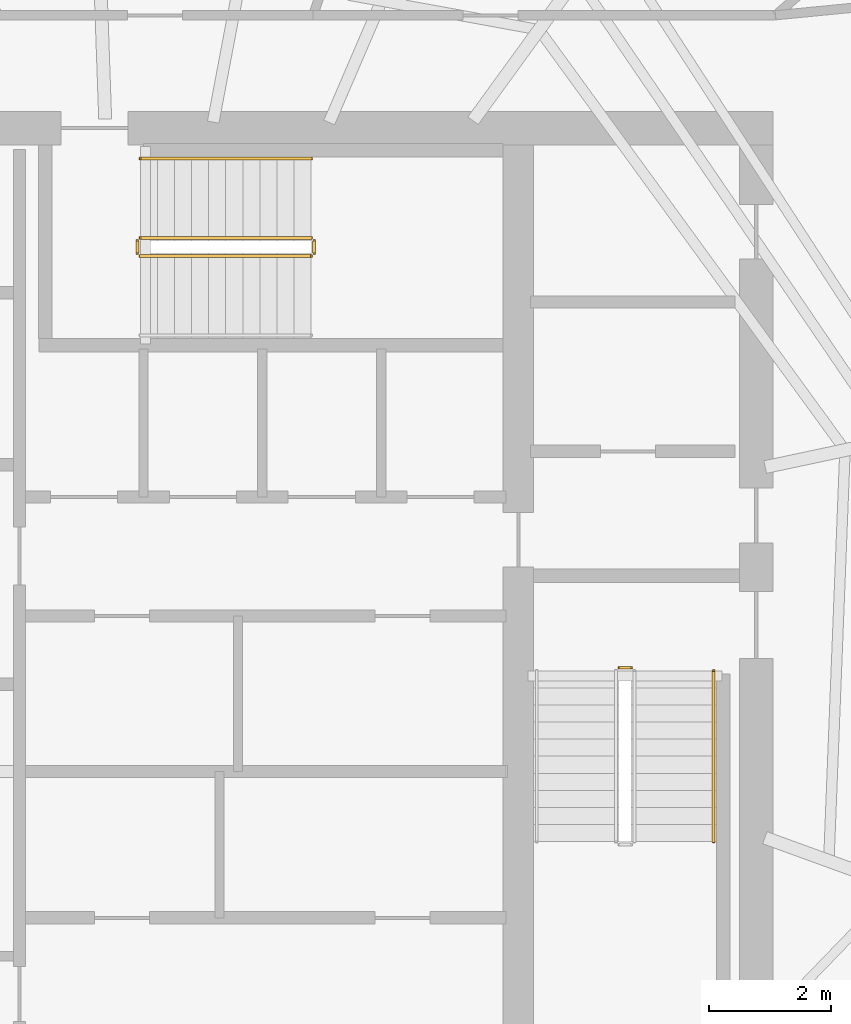
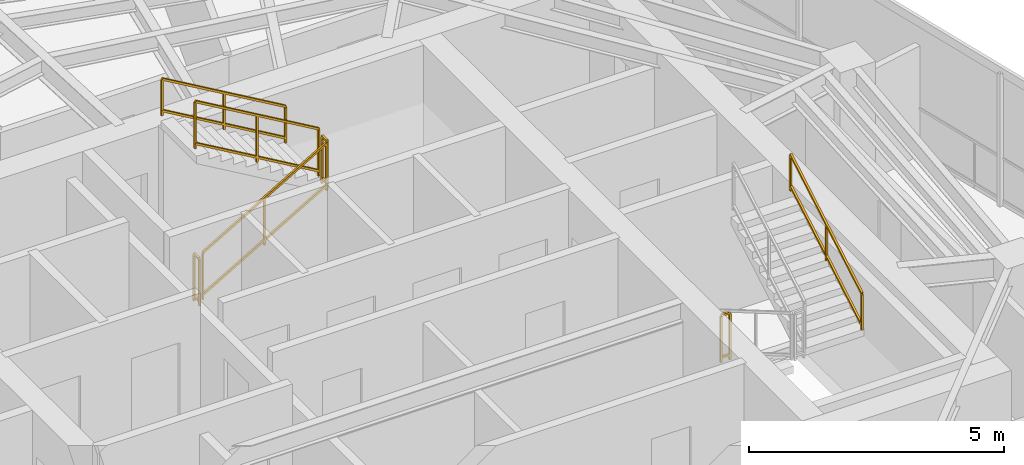
# One storey, part 19 of 19: 7 railings.
"""IFC4 building model written with IfcOpenShell, lengths in metres."""

from ifc_helpers import new_model, si_unit, direction, frame, origin, origin_2d, place, context, subcontext, project, spatial, rectangle, extrude, material, type_object, element, save


model = new_model("IFC4")

# Units and contexts
model_context = context("Model", 3, precision=1e-05, world=origin(), true_north=direction((0.0, 1.0)))
body_context = subcontext(model_context, "Body", "Model", "MODEL_VIEW")
ifc_project = project(units=[si_unit("LENGTHUNIT", "METRE"), si_unit("AREAUNIT", "SQUARE_METRE"), si_unit("VOLUMEUNIT", "CUBIC_METRE"), si_unit("PLANEANGLEUNIT", "RADIAN"), si_unit("MASSUNIT", "GRAM", prefix="KILO")], contexts=[model_context])

# Site, building, storey
site_placement = place(None, origin())
site = spatial("IfcSite", under=ifc_project, at=site_placement, CompositionType="ELEMENT")
building_placement = place(site_placement, origin())
building = spatial("IfcBuilding", under=site, at=building_placement, Name="Qarnah Convention Tower", CompositionType="ELEMENT")
storey_placement = place(building_placement, frame((0.0, 0.0, 231.89990234375)))
storey = spatial("IfcBuildingStorey", under=building, at=storey_placement, Name="L62", CompositionType="ELEMENT", Elevation=231.89990234375)

# Railings
ifc_material = material(Name="Structural steel S355JR", Category="steel")
railing_type_1 = type_object("IfcRailingType", Name="RL-STAIR-GUARD-1150", PredefinedType="GUARDRAIL", material=ifc_material)
railing_1_placement = place(storey_placement, frame((45.35009765625, 25.35009765625, 0.0)))
element("IfcRailing", 1, at=railing_1_placement, inside=storey, type_object=railing_type_1, Name="L62 ST-2 stair guard 4", PredefinedType="GUARDRAIL", context=body_context, shape_type="SweptSolid", body=[
    extrude(rectangle(XDim=0.048095703125, YDim=0.048095703125, at=origin_2d()), frame((0.0, 0.0, 1.1259765625), z_axis=(1.0, 0.0, 0.0), x_axis=(0.0, 1.0, 0.0)), (0.0, 0.0, 1.0), 0.199951171875),
    extrude(rectangle(XDim=0.048095703125, YDim=0.048095703125, at=origin_2d()), frame((0.0, 0.0, 0.1201171875), z_axis=(1.0, 0.0, 0.0), x_axis=(0.0, 1.0, 0.0)), (0.0, 0.0, 1.0), 0.199951171875),
    extrude(rectangle(XDim=0.0419921875, YDim=0.0419921875, at=origin_2d()), origin(), (0.0, 0.0, 1.0), 1.101806640625),
    extrude(rectangle(XDim=0.0419921875, YDim=0.0419921875, at=origin_2d()), frame((0.199951171875, 0.0, 0.0)), (0.0, 0.0, 1.0), 1.101806640625),
])
railing_2_placement = place(storey_placement, frame((37.5, 32.10009765625, 0.163818359375)))
element("IfcRailing", 2, at=railing_2_placement, inside=storey, type_object=railing_type_1, Name="L62 ST-3 stair guard 1", PredefinedType="GUARDRAIL", context=body_context, shape_type="SweptSolid", body=[
    extrude(rectangle(XDim=0.048095703125, YDim=0.048095703125, at=origin_2d()), frame((0.0, 0.0, 1.1259765625), z_axis=(0.863393664356, 0.0, 0.504530851732), x_axis=(0.0, 1.0, 0.0)), (0.0, 0.0, 1.0), 3.2431640625),
    extrude(rectangle(XDim=0.048095703125, YDim=0.048095703125, at=origin_2d()), frame((0.0, 0.0, 0.1201171875), z_axis=(0.863393664356, 0.0, 0.504530851732), x_axis=(0.0, 1.0, 0.0)), (0.0, 0.0, 1.0), 3.2431640625),
    extrude(rectangle(XDim=0.0419921875, YDim=0.0419921875, at=origin_2d()), origin(), (0.0, 0.0, 1.0), 1.101806640625),
    extrude(rectangle(XDim=0.0419921875, YDim=0.0419921875, at=origin_2d()), frame((1.39990234375, 0.0, 0.818115234375)), (0.0, 0.0, 1.0), 1.101806640625),
    extrude(rectangle(XDim=0.0419921875, YDim=0.0419921875, at=origin_2d()), frame((2.800048828125, 0.0, 1.63623046875)), (0.0, 0.0, 1.0), 1.101806640625),
])
railing_3_placement = place(storey_placement, frame((40.35009765625, 32.14990234375, 1.800048828125)))
element("IfcRailing", 3, at=railing_3_placement, inside=storey, type_object=railing_type_1, Name="L62 ST-3 stair guard 2", PredefinedType="GUARDRAIL", context=body_context, shape_type="SweptSolid", body=[
    extrude(rectangle(XDim=0.048095703125, YDim=0.048095703125, at=origin_2d()), frame((0.0, 0.0, 1.1259765625), z_axis=(0.0, 1.0, 0.0), x_axis=(-1.0, 0.0, 0.0)), (0.0, 0.0, 1.0), 0.2001953125),
    extrude(rectangle(XDim=0.048095703125, YDim=0.048095703125, at=origin_2d()), frame((0.0, 0.0, 0.1201171875), z_axis=(0.0, 1.0, 0.0), x_axis=(-1.0, 0.0, 0.0)), (0.0, 0.0, 1.0), 0.2001953125),
    extrude(rectangle(XDim=0.0419921875, YDim=0.0419921875, at=origin_2d()), origin(), (0.0, 0.0, 1.0), 1.101806640625),
    extrude(rectangle(XDim=0.0419921875, YDim=0.0419921875, at=origin_2d()), frame((0.0, 0.2001953125, 0.0)), (0.0, 0.0, 1.0), 1.101806640625),
])
railing_4_placement = place(storey_placement, frame((40.300048828125, 32.39990234375, 1.963623046875)))
element("IfcRailing", 4, at=railing_4_placement, inside=storey, type_object=railing_type_1, Name="L62 ST-3 stair guard 3", PredefinedType="GUARDRAIL", context=body_context, shape_type="SweptSolid", body=[
    extrude(rectangle(XDim=0.048095703125, YDim=0.048095703125, at=origin_2d()), frame((0.0, 0.0, 1.1259765625), z_axis=(-0.863360870873, 0.0, 0.504586966384), x_axis=(0.0, -1.0, 0.0)), (0.0, 0.0, 1.0), 3.2431640625),
    extrude(rectangle(XDim=0.048095703125, YDim=0.048095703125, at=origin_2d()), frame((0.0, 0.0, 0.1201171875), z_axis=(-0.863360870873, 0.0, 0.504586966384), x_axis=(0.0, -1.0, 0.0)), (0.0, 0.0, 1.0), 3.2431640625),
    extrude(rectangle(XDim=0.0419921875, YDim=0.0419921875, at=origin_2d()), origin(), (0.0, 0.0, 1.0), 1.101806640625),
    extrude(rectangle(XDim=0.0419921875, YDim=0.0419921875, at=origin_2d()), frame((-1.39990234375, 0.0, 0.818359375)), (0.0, 0.0, 1.0), 1.101806640625),
    extrude(rectangle(XDim=0.0419921875, YDim=0.0419921875, at=origin_2d()), frame((-2.800048828125, 0.0, 1.636474609375)), (0.0, 0.0, 1.0), 1.101806640625),
])
railing_5_placement = place(storey_placement, frame((37.449951171875, 32.14990234375, 0.0)))
element("IfcRailing", 5, at=railing_5_placement, inside=storey, type_object=railing_type_1, Name="L62 ST-3 stair guard 4", PredefinedType="GUARDRAIL", context=body_context, shape_type="SweptSolid", body=[
    extrude(rectangle(XDim=0.048095703125, YDim=0.048095703125, at=origin_2d()), frame((0.0, 0.0, 1.1259765625), z_axis=(0.0, 1.0, 0.0), x_axis=(-1.0, 0.0, 0.0)), (0.0, 0.0, 1.0), 0.2001953125),
    extrude(rectangle(XDim=0.048095703125, YDim=0.048095703125, at=origin_2d()), frame((0.0, 0.0, 0.1201171875), z_axis=(0.0, 1.0, 0.0), x_axis=(-1.0, 0.0, 0.0)), (0.0, 0.0, 1.0), 0.2001953125),
    extrude(rectangle(XDim=0.0419921875, YDim=0.0419921875, at=origin_2d()), origin(), (0.0, 0.0, 1.0), 1.101806640625),
    extrude(rectangle(XDim=0.0419921875, YDim=0.0419921875, at=origin_2d()), frame((0.0, 0.2001953125, 0.0)), (0.0, 0.0, 1.0), 1.101806640625),
])
railing_type_2 = type_object("IfcRailingType", Name="RL-STAIR-HAND-900", PredefinedType="HANDRAIL", material=ifc_material)
railing_6_placement = place(storey_placement, frame((46.89990234375, 22.5, 1.963623046875)))
element("IfcRailing", 6, at=railing_6_placement, inside=storey, type_object=railing_type_2, Name="L62 ST-2 stair handrail 2", PredefinedType="HANDRAIL", context=body_context, shape_type="SweptSolid", body=[
    extrude(rectangle(XDim=0.048095703125, YDim=0.048095703125, at=origin_2d()), frame((0.0, 0.0, 0.8759765625), z_axis=(0.0, 0.863360870873, 0.504586966384), x_axis=(-1.0, 0.0, 0.0)), (0.0, 0.0, 1.0), 3.2431640625),
    extrude(rectangle(XDim=0.048095703125, YDim=0.048095703125, at=origin_2d()), frame((0.0, 0.0, 0.1201171875), z_axis=(0.0, 0.863360870873, 0.504586966384), x_axis=(-1.0, 0.0, 0.0)), (0.0, 0.0, 1.0), 3.2431640625),
    extrude(rectangle(XDim=0.0419921875, YDim=0.0419921875, at=origin_2d()), origin(), (0.0, 0.0, 1.0), 0.851806640625),
    extrude(rectangle(XDim=0.0419921875, YDim=0.0419921875, at=origin_2d()), frame((0.0, 1.39990234375, 0.818359375)), (0.0, 0.0, 1.0), 0.851806640625),
    extrude(rectangle(XDim=0.0419921875, YDim=0.0419921875, at=origin_2d()), frame((0.0, 2.800048828125, 1.636474609375)), (0.0, 0.0, 1.0), 0.851806640625),
])
railing_7_placement = place(storey_placement, frame((40.300048828125, 33.699951171875, 1.963623046875)))
element("IfcRailing", 7, at=railing_7_placement, inside=storey, type_object=railing_type_2, Name="L62 ST-3 stair handrail 2", PredefinedType="HANDRAIL", context=body_context, shape_type="SweptSolid", body=[
    extrude(rectangle(XDim=0.048095703125, YDim=0.048095703125, at=origin_2d()), frame((0.0, 0.0, 0.8759765625), z_axis=(-0.863360870873, 0.0, 0.504586966384), x_axis=(0.0, -1.0, 0.0)), (0.0, 0.0, 1.0), 3.2431640625),
    extrude(rectangle(XDim=0.048095703125, YDim=0.048095703125, at=origin_2d()), frame((0.0, 0.0, 0.1201171875), z_axis=(-0.863360870873, 0.0, 0.504586966384), x_axis=(0.0, -1.0, 0.0)), (0.0, 0.0, 1.0), 3.2431640625),
    extrude(rectangle(XDim=0.0419921875, YDim=0.0419921875, at=origin_2d()), origin(), (0.0, 0.0, 1.0), 0.851806640625),
    extrude(rectangle(XDim=0.0419921875, YDim=0.0419921875, at=origin_2d()), frame((-1.39990234375, 0.0, 0.818359375)), (0.0, 0.0, 1.0), 0.851806640625),
    extrude(rectangle(XDim=0.0419921875, YDim=0.0419921875, at=origin_2d()), frame((-2.800048828125, 0.0, 1.636474609375)), (0.0, 0.0, 1.0), 0.851806640625),
])

save(model, "model.ifc")
